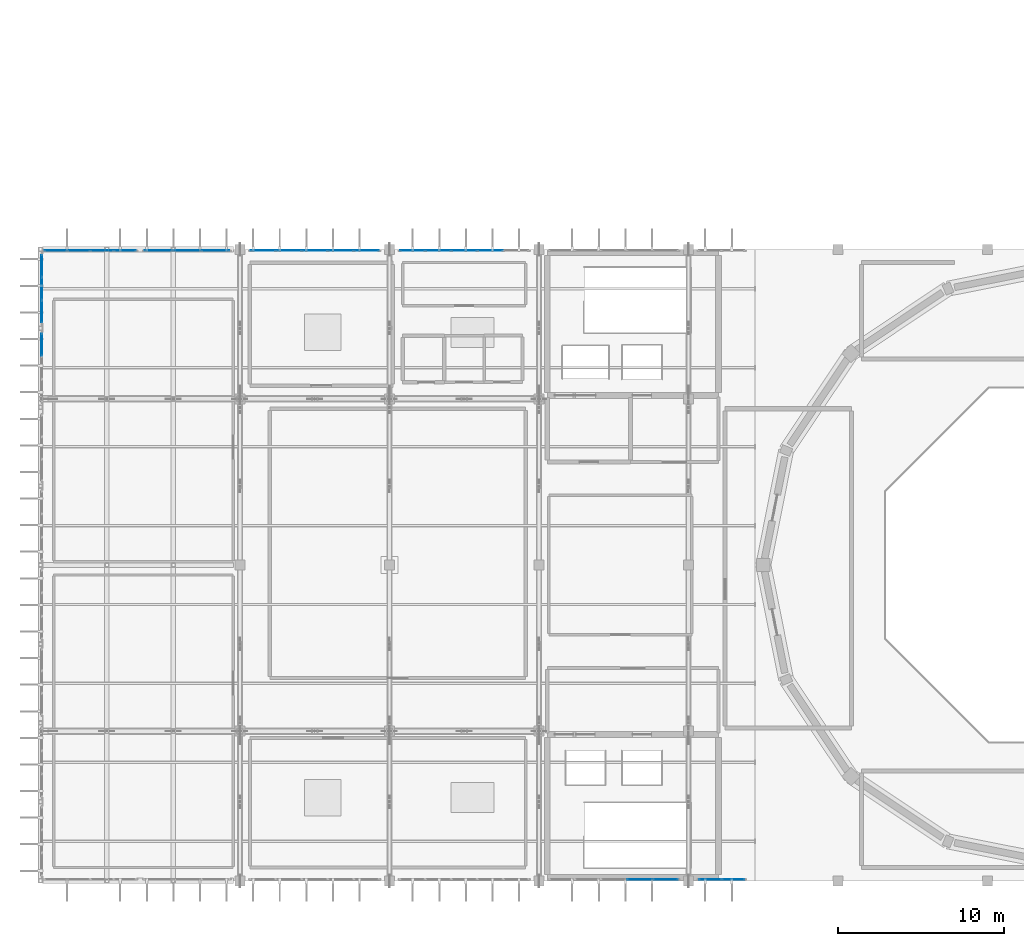
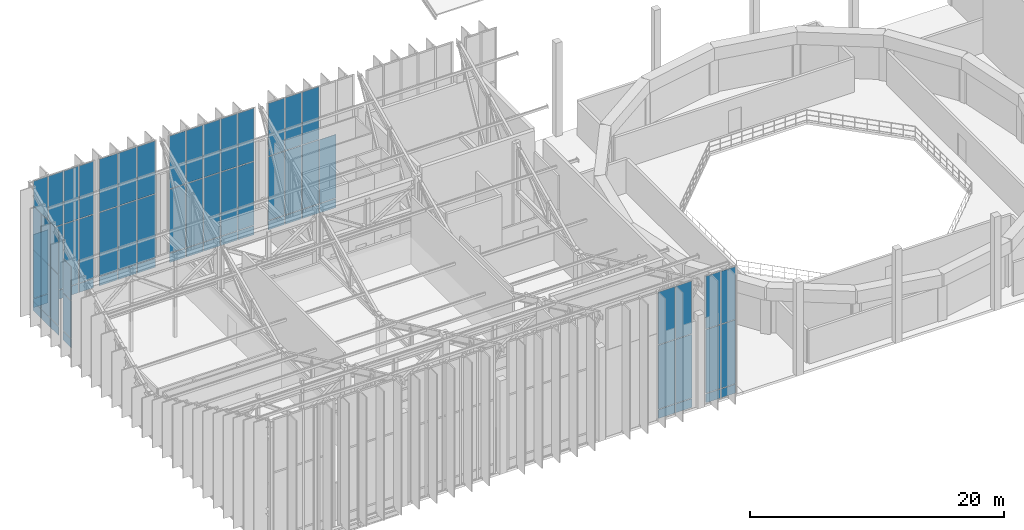
# One storey, part 50 of 68: 71 plates, 8 elements without a shape of their own.
"""IFC4 building model written with IfcOpenShell, lengths in metres."""

import ifcopenshell
import ifcopenshell.guid

model = None  # the IFC model being written
_history = None  # IfcOwnerHistory: only IFC2X3 demands one
_inside = {}  # id of a spatial element -> (the spatial element, [elements in it])
_under = {}  # id of a project, library or spatial element -> (it, [spatial elements below it])
_declared = {}  # id of a project -> (the project, [libraries it declares])
_typed = {}  # id of a type object -> (the type object, [elements of that type])
_made_of = {}  # id of a material, layer set ... -> (it, [elements and type objects made of it])


def new_model(schema):
    """Start an empty IFC model of exactly this schema.

    Asked for "IFC4X3", IfcOpenShell would pick the latest addendum, in which some entities
    have other attributes; the version numbers below select the first issue.
    IFC2X3 requires an IfcOwnerHistory on every rooted entity: one is made here for all.
    """
    global model, _history
    if schema == "IFC4X3":
        model = ifcopenshell.file(schema_version=(4, 3, 0, 0))
    else:
        model = ifcopenshell.file(schema=schema)
    _inside.clear()
    _under.clear()
    _declared.clear()
    _typed.clear()
    _made_of.clear()
    _history = None
    if model.schema == "IFC2X3":
        org = make("IfcOrganization", Name="unknown")
        user = make(
            "IfcPersonAndOrganization",
            ThePerson=make("IfcPerson", FamilyName="unknown"),
            TheOrganization=org,
        )
        app = make(
            "IfcApplication",
            ApplicationDeveloper=org,
            Version="unknown",
            ApplicationFullName="unknown",
            ApplicationIdentifier="unknown",
        )
        _history = make(
            "IfcOwnerHistory",
            OwningUser=user,
            OwningApplication=app,
            ChangeAction="ADDED",
            CreationDate=0,
        )
    return model


def make(cls, **values):
    """One entity of the class cls with the attributes given. An attribute that is None is left unset."""
    return model.create_entity(
        cls, **{name: value for name, value in values.items() if value is not None}
    )


def rooted(cls, **values):
    """An entity with a GlobalId (a new one), such as an element, a storey or a relation."""
    return make(cls, GlobalId=ifcopenshell.guid.new(), OwnerHistory=_history, **values)


def si_unit(unit_type, name, prefix=None):
    """IfcSIUnit, for example si_unit("LENGTHUNIT", "METRE", prefix="MILLI")."""
    return make("IfcSIUnit", UnitType=unit_type, Prefix=prefix, Name=name)


def assignment(units):
    """IfcUnitAssignment: the units of a project."""
    return None if units is None else make("IfcUnitAssignment", Units=units)


def point(xyz):
    """IfcCartesianPoint."""
    return None if xyz is None else make("IfcCartesianPoint", Coordinates=xyz)


def direction(xyz):
    """IfcDirection."""
    return None if xyz is None else make("IfcDirection", DirectionRatios=xyz)


def frame(location, z_axis=None, x_axis=None):
    """IfcAxis2Placement3D, a coordinate frame: its origin and axes. An axis left out is left unset."""
    return make(
        "IfcAxis2Placement3D",
        Location=point(location),
        Axis=direction(z_axis),
        RefDirection=direction(x_axis),
    )


def frame_2d(location, x_axis=None):
    """IfcAxis2Placement2D, a coordinate frame in the plane: its origin and x axis."""
    return make(
        "IfcAxis2Placement2D", Location=point(location), RefDirection=direction(x_axis)
    )


def origin():
    """The frame at (0, 0, 0) with its axes left unset."""
    return frame((0.0, 0.0, 0.0))


def origin_2d():
    """The frame at (0, 0) in the plane with its x axis left unset."""
    return frame_2d((0.0, 0.0))


def place(relative_to, where):
    """IfcLocalPlacement: puts the frame where relative to a parent placement (None: the world)."""
    return make(
        "IfcLocalPlacement", PlacementRelTo=relative_to, RelativePlacement=where
    )


def context(
    kind, dimensions, precision=None, world=None, true_north=None, identifier=None
):
    """IfcGeometricRepresentationContext, for example the 3D "Model" context."""
    return make(
        "IfcGeometricRepresentationContext",
        ContextIdentifier=identifier,
        ContextType=kind,
        CoordinateSpaceDimension=dimensions,
        Precision=precision,
        WorldCoordinateSystem=world,
        TrueNorth=true_north,
    )


def subcontext(parent, identifier, kind, view, scale=None):
    """IfcGeometricRepresentationSubContext, for example "Body" below "Model"."""
    return make(
        "IfcGeometricRepresentationSubContext",
        ContextIdentifier=identifier,
        ContextType=kind,
        ParentContext=parent,
        TargetScale=scale,
        TargetView=view,
    )


def project(units=None, contexts=None):
    """IfcProject with its units and contexts."""
    return rooted(
        "IfcProject",
        Name="project",
        RepresentationContexts=contexts,
        UnitsInContext=assignment(units),
    )


def spatial(cls, under=None, at=None, **own):
    """A site, building, storey or space (cls), placed at a placement, below another one or the project."""
    s = rooted(cls, ObjectPlacement=at, **own)
    if under is not None:
        _under.setdefault(under.id(), (under, []))[1].append(s)
    return s


def profile(cls, at=None, kind="AREA", **sizes):
    """A parametric profile (cls). Its sizes go by their IFC names, for example OverallWidth=200.0."""
    return make(cls, ProfileType=kind, Position=at, **sizes)


def rectangle(**sizes):
    """IfcRectangleProfileDef."""
    return profile("IfcRectangleProfileDef", **sizes)


def extrude(swept, where, along, depth):
    """IfcExtrudedAreaSolid: the profile swept, set in the frame where, extruded along a direction by depth."""
    return make(
        "IfcExtrudedAreaSolid",
        SweptArea=swept,
        Position=where,
        ExtrudedDirection=direction(along),
        Depth=depth,
    )


def shape(context_of_items, identifier, shape_type, items):
    """IfcShapeRepresentation: the items that make up one representation, for example the "Body"."""
    return make(
        "IfcShapeRepresentation",
        ContextOfItems=context_of_items,
        RepresentationIdentifier=identifier,
        RepresentationType=shape_type,
        Items=items,
    )


def material(Name=None, Category=None):
    """IfcMaterial."""
    return make("IfcMaterial", Name=Name, Category=Category)


def layer(
    of_material, thickness, ventilated=None, Name=None, Category=None, Priority=None
):
    """IfcMaterialLayer: one layer of a wall or slab, of a material (None: an air gap)."""
    return make(
        "IfcMaterialLayer",
        Material=of_material,
        LayerThickness=thickness,
        IsVentilated=ventilated,
        Name=Name,
        Category=Category,
        Priority=Priority,
    )


def layer_set(layers, Name=None):
    """IfcMaterialLayerSet."""
    return make("IfcMaterialLayerSet", MaterialLayers=layers, LayerSetName=Name)


def made_of(thing, what):
    """Note that an element or type object is made of a material, layer set ...; save() writes the relation."""
    if what is not None:
        _made_of.setdefault(what.id(), (what, []))[1].append(thing)
    return thing


def type_object(cls, material=None, **own):
    """A type object (cls), such as IfcWallType, which elements share."""
    return made_of(rooted(cls, **own), material)


def element(
    cls,
    number,
    at=None,
    inside=None,
    cuts=None,
    type_object=None,
    material=None,
    context=None,
    identifier="Body",
    shape_type=None,
    held_by="IfcProductDefinitionShape",
    body=None,
    shapes=None,
    **own,
):
    """One element of the class cls, such as IfcWall. Its Tag is "e" and its number.

    at: its placement. inside: the storey or other place that contains it. cuts: it is an
    opening in that element (IfcRelVoidsElement). A single representation is given by context,
    identifier, shape_type and body (its items); several are given by shapes. held_by: the class
    of the entity that holds the representations. save() writes the other relations.
    """
    e = rooted(cls, Tag="e%d" % number, ObjectPlacement=at, **own)
    if body is not None:
        shapes = [shape(context, identifier, shape_type, body)]
    if shapes is not None:
        e.Representation = make(held_by, Representations=shapes)
    if inside is not None:
        _inside.setdefault(inside.id(), (inside, []))[1].append(e)
    if cuts is not None:
        rooted(
            "IfcRelVoidsElement", RelatingBuildingElement=cuts, RelatedOpeningElement=e
        )
    if type_object is not None:
        _typed.setdefault(type_object.id(), (type_object, []))[1].append(e)
    return made_of(e, material)


def aggregate(whole, parts):
    """IfcRelAggregates: a whole, such as a stair, and the parts it consists of."""
    return rooted("IfcRelAggregates", RelatingObject=whole, RelatedObjects=parts)


def save(model, path):
    """Write the relations noted so far, then the file.

    IfcRelAggregates (storeys below a building ...), IfcRelContainedInSpatialStructure (elements
    in a storey), IfcRelDefinesByType, IfcRelAssociatesMaterial and IfcRelDeclares: one each for
    every whole, place, type object, material and project.
    """
    for whole, parts in _under.values():
        aggregate(whole, parts)
    for where, things in _inside.values():
        rooted(
            "IfcRelContainedInSpatialStructure",
            RelatedElements=things,
            RelatingStructure=where,
        )
    for kind, things in _typed.values():
        rooted("IfcRelDefinesByType", RelatedObjects=things, RelatingType=kind)
    for what, things in _made_of.values():
        rooted("IfcRelAssociatesMaterial", RelatedObjects=things, RelatingMaterial=what)
    for by, libraries in _declared.values():
        rooted("IfcRelDeclares", RelatingContext=by, RelatedDefinitions=libraries)
    model.write(path)


model = new_model("IFC4")

# Units and contexts
model_context = context("Model", 3, precision=1e-05, world=origin(), true_north=direction((0.0, 1.0)))
body_context = subcontext(model_context, "Body", "Model", "MODEL_VIEW")
ifc_project = project(units=[si_unit("LENGTHUNIT", "METRE"), si_unit("AREAUNIT", "SQUARE_METRE"), si_unit("VOLUMEUNIT", "CUBIC_METRE"), si_unit("PLANEANGLEUNIT", "RADIAN"), si_unit("MASSUNIT", "GRAM", prefix="KILO")], contexts=[model_context])

# Site, building, storey
site_placement = place(None, origin())
site = spatial("IfcSite", under=ifc_project, at=site_placement, CompositionType="ELEMENT")
building_placement = place(site_placement, origin())
building = spatial("IfcBuilding", under=site, at=building_placement, Name="Miravela Opera House", CompositionType="ELEMENT")
storey_placement = place(building_placement, frame((0.0, 0.0, 21.760009765625)))
storey = spatial("IfcBuildingStorey", under=building, at=storey_placement, Name="L05", CompositionType="ELEMENT", Elevation=21.760009765625)

# Curtain wall, plates
ifc_material_1 = material(Name="Anodised architectural bronze aluminium 6063-T6", Category="aluminium")
curtain_wall_type = type_object("IfcCurtainWallType", Name="ARC-CW-03", PredefinedType="NOTDEFINED", material=ifc_material_1)
curtain_wall_1_placement = place(storey_placement, origin())
curtain_wall_1 = element("IfcCurtainWall", 1, at=curtain_wall_1_placement, inside=storey, type_object=curtain_wall_type, Name="Cantilever West Wrapper Glazing B7 CW-L05-053", PredefinedType="NOTDEFINED")
ifc_material_2 = material(Name="Triple-glazed acoustic laminated low-E glass", Category="glass")
ifc_layer = layer(ifc_material_2, 0.035888671875)
ifc_layer_set = layer_set([ifc_layer])
plate_type = type_object("IfcPlateType", Name="ARC-CWP-36", PredefinedType="CURTAIN_PANEL", material=ifc_layer_set)
plate_1_placement = place(storey_placement, frame((15.080078125, 69.25537109375, 0.06494140625), z_axis=(0.0, 0.0, 1.0), x_axis=(0.0, 1.0, 0.0)))
plate_1 = element("IfcPlate", 2, at=plate_1_placement, type_object=plate_type, Name="CW-03 panel 3.1", PredefinedType="CURTAIN_PANEL", context=body_context, shape_type="SweptSolid", body=[
    extrude(rectangle(XDim=1.299072265625, YDim=0.035888671875, at=origin_2d()), origin(), (0.0, 0.0, 1.0), 0.8525390625),
])
plate_2_placement = place(storey_placement, frame((15.080078125, 69.25537109375, 0.982421875), z_axis=(0.0, 0.0, 1.0), x_axis=(0.0, 1.0, 0.0)))
plate_2 = element("IfcPlate", 3, at=plate_2_placement, type_object=plate_type, Name="CW-03 panel 3.2", PredefinedType="CURTAIN_PANEL", context=body_context, shape_type="SweptSolid", body=[
    extrude(rectangle(XDim=1.299072265625, YDim=0.035888671875, at=origin_2d()), origin(), (0.0, 0.0, 1.0), 3.591796875),
])
plate_3_placement = place(storey_placement, frame((15.080078125, 69.25537109375, 4.63916015625), z_axis=(0.0, 0.0, 1.0), x_axis=(0.0, 1.0, 0.0)))
plate_3 = element("IfcPlate", 4, at=plate_3_placement, type_object=plate_type, Name="CW-03 panel 3.3", PredefinedType="CURTAIN_PANEL", context=body_context, shape_type="SweptSolid", body=[
    extrude(rectangle(XDim=1.299072265625, YDim=0.035888671875, at=origin_2d()), origin(), (0.0, 0.0, 1.0), 3.23828125),
])
aggregate(curtain_wall_1, [plate_1, plate_2, plate_3])

curtain_wall_2_placement = place(storey_placement, origin())
curtain_wall_2 = element("IfcCurtainWall", 5, at=curtain_wall_2_placement, inside=storey, type_object=curtain_wall_type, Name="Cantilever West Wrapper Glazing B8 CW-L05-054", PredefinedType="NOTDEFINED")
plate_4_placement = place(storey_placement, frame((15.080078125, 71.24462890625, 0.06494140625), z_axis=(0.0, 0.0, 1.0), x_axis=(0.0, 1.0, 0.0)))
plate_4 = element("IfcPlate", 6, at=plate_4_placement, type_object=plate_type, Name="CW-03 panel 1.1", PredefinedType="CURTAIN_PANEL", context=body_context, shape_type="SweptSolid", body=[
    extrude(rectangle(XDim=1.299072265625, YDim=0.035888671875, at=origin_2d()), origin(), (0.0, 0.0, 1.0), 0.8525390625),
])
plate_5_placement = place(storey_placement, frame((15.080078125, 71.24462890625, 0.982421875), z_axis=(0.0, 0.0, 1.0), x_axis=(0.0, 1.0, 0.0)))
plate_5 = element("IfcPlate", 7, at=plate_5_placement, type_object=plate_type, Name="CW-03 panel 1.2", PredefinedType="CURTAIN_PANEL", context=body_context, shape_type="SweptSolid", body=[
    extrude(rectangle(XDim=1.299072265625, YDim=0.035888671875, at=origin_2d()), origin(), (0.0, 0.0, 1.0), 4.896728515625),
])
plate_6_placement = place(storey_placement, frame((15.080078125, 71.24462890625, 5.9443359375), z_axis=(0.0, 0.0, 1.0), x_axis=(0.0, 1.0, 0.0)))
plate_6 = element("IfcPlate", 8, at=plate_6_placement, type_object=plate_type, Name="CW-03 panel 1.3", PredefinedType="CURTAIN_PANEL", context=body_context, shape_type="SweptSolid", body=[
    extrude(rectangle(XDim=1.299072265625, YDim=0.035888671875, at=origin_2d()), origin(), (0.0, 0.0, 1.0), 4.183349609375),
])
plate_7_placement = place(storey_placement, frame((15.080078125, 72.625, 0.06494140625), z_axis=(0.0, 0.0, 1.0), x_axis=(0.0, 1.0, 0.0)))
plate_7 = element("IfcPlate", 9, at=plate_7_placement, type_object=plate_type, Name="CW-03 panel 2.1", PredefinedType="CURTAIN_PANEL", context=body_context, shape_type="SweptSolid", body=[
    extrude(rectangle(XDim=1.331787109375, YDim=0.035888671875, at=origin_2d()), origin(), (0.0, 0.0, 1.0), 0.8525390625),
])
plate_8_placement = place(storey_placement, frame((15.080078125, 72.625, 0.982421875), z_axis=(0.0, 0.0, 1.0), x_axis=(0.0, 1.0, 0.0)))
plate_8 = element("IfcPlate", 10, at=plate_8_placement, type_object=plate_type, Name="CW-03 panel 2.2", PredefinedType="CURTAIN_PANEL", context=body_context, shape_type="SweptSolid", body=[
    extrude(rectangle(XDim=1.331787109375, YDim=0.035888671875, at=origin_2d()), origin(), (0.0, 0.0, 1.0), 4.896728515625),
])
plate_9_placement = place(storey_placement, frame((15.080078125, 72.625, 5.9443359375), z_axis=(0.0, 0.0, 1.0), x_axis=(0.0, 1.0, 0.0)))
plate_9 = element("IfcPlate", 11, at=plate_9_placement, type_object=plate_type, Name="CW-03 panel 2.3", PredefinedType="CURTAIN_PANEL", context=body_context, shape_type="SweptSolid", body=[
    extrude(rectangle(XDim=1.331787109375, YDim=0.035888671875, at=origin_2d()), origin(), (0.0, 0.0, 1.0), 4.183349609375),
])
plate_10_placement = place(storey_placement, frame((15.080078125, 74.00537109375, 0.06494140625), z_axis=(0.0, 0.0, 1.0), x_axis=(0.0, 1.0, 0.0)))
plate_10 = element("IfcPlate", 12, at=plate_10_placement, type_object=plate_type, Name="CW-03 panel 3.1", PredefinedType="CURTAIN_PANEL", context=body_context, shape_type="SweptSolid", body=[
    extrude(rectangle(XDim=1.299072265625, YDim=0.035888671875, at=origin_2d()), origin(), (0.0, 0.0, 1.0), 0.8525390625),
])
plate_11_placement = place(storey_placement, frame((15.080078125, 74.00537109375, 0.982421875), z_axis=(0.0, 0.0, 1.0), x_axis=(0.0, 1.0, 0.0)))
plate_11 = element("IfcPlate", 13, at=plate_11_placement, type_object=plate_type, Name="CW-03 panel 3.2", PredefinedType="CURTAIN_PANEL", context=body_context, shape_type="SweptSolid", body=[
    extrude(rectangle(XDim=1.299072265625, YDim=0.035888671875, at=origin_2d()), origin(), (0.0, 0.0, 1.0), 4.896728515625),
])
plate_12_placement = place(storey_placement, frame((15.080078125, 74.00537109375, 5.9443359375), z_axis=(0.0, 0.0, 1.0), x_axis=(0.0, 1.0, 0.0)))
plate_12 = element("IfcPlate", 14, at=plate_12_placement, type_object=plate_type, Name="CW-03 panel 3.3", PredefinedType="CURTAIN_PANEL", context=body_context, shape_type="SweptSolid", body=[
    extrude(rectangle(XDim=1.299072265625, YDim=0.035888671875, at=origin_2d()), origin(), (0.0, 0.0, 1.0), 4.183349609375),
])
aggregate(curtain_wall_2, [plate_4, plate_5, plate_6, plate_7, plate_8, plate_9, plate_10, plate_11, plate_12])

curtain_wall_3_placement = place(storey_placement, origin())
curtain_wall_3 = element("IfcCurtainWall", 15, at=curtain_wall_3_placement, inside=storey, type_object=curtain_wall_type, Name="Auditorium North Wrapper Glazing CW-L05-055", PredefinedType="NOTDEFINED")
plate_13_placement = place(storey_placement, frame((15.916259765625, 74.919921875, 0.06494140625), z_axis=(0.0, 0.0, 1.0), x_axis=(1.0, 0.0, 0.0)))
plate_13 = element("IfcPlate", 16, at=plate_13_placement, type_object=plate_type, Name="CW-03 panel 1.1", PredefinedType="CURTAIN_PANEL", context=body_context, shape_type="SweptSolid", body=[
    extrude(rectangle(XDim=1.302490234375, YDim=0.035888671875, at=origin_2d()), origin(), (0.0, 0.0, 1.0), 0.8525390625),
])
plate_14_placement = place(storey_placement, frame((15.916259765625, 74.919921875, 0.982421875), z_axis=(0.0, 0.0, 1.0), x_axis=(1.0, 0.0, 0.0)))
plate_14 = element("IfcPlate", 17, at=plate_14_placement, type_object=plate_type, Name="CW-03 panel 1.2", PredefinedType="CURTAIN_PANEL", context=body_context, shape_type="SweptSolid", body=[
    extrude(rectangle(XDim=1.302490234375, YDim=0.035888671875, at=origin_2d()), origin(), (0.0, 0.0, 1.0), 6.124755859375),
])
plate_15_placement = place(storey_placement, frame((15.916259765625, 74.919921875, 7.17236328125), z_axis=(0.0, 0.0, 1.0), x_axis=(1.0, 0.0, 0.0)))
plate_15 = element("IfcPlate", 18, at=plate_15_placement, type_object=plate_type, Name="CW-03 panel 1.3", PredefinedType="CURTAIN_PANEL", context=body_context, shape_type="SweptSolid", body=[
    extrude(rectangle(XDim=1.302490234375, YDim=0.035888671875, at=origin_2d()), origin(), (0.0, 0.0, 1.0), 5.07275390625),
])
plate_16_placement = place(storey_placement, frame((17.300048828125, 74.919921875, 0.06494140625), z_axis=(0.0, 0.0, 1.0), x_axis=(1.0, 0.0, 0.0)))
plate_16 = element("IfcPlate", 19, at=plate_16_placement, type_object=plate_type, Name="CW-03 panel 2.1", PredefinedType="CURTAIN_PANEL", context=body_context, shape_type="SweptSolid", body=[
    extrude(rectangle(XDim=1.3349609375, YDim=0.035888671875, at=origin_2d()), origin(), (0.0, 0.0, 1.0), 0.8525390625),
])
plate_17_placement = place(storey_placement, frame((17.300048828125, 74.919921875, 0.982421875), z_axis=(0.0, 0.0, 1.0), x_axis=(1.0, 0.0, 0.0)))
plate_17 = element("IfcPlate", 20, at=plate_17_placement, type_object=plate_type, Name="CW-03 panel 2.2", PredefinedType="CURTAIN_PANEL", context=body_context, shape_type="SweptSolid", body=[
    extrude(rectangle(XDim=1.3349609375, YDim=0.035888671875, at=origin_2d()), origin(), (0.0, 0.0, 1.0), 6.124755859375),
])
plate_18_placement = place(storey_placement, frame((17.300048828125, 74.919921875, 7.17236328125), z_axis=(0.0, 0.0, 1.0), x_axis=(1.0, 0.0, 0.0)))
plate_18 = element("IfcPlate", 21, at=plate_18_placement, type_object=plate_type, Name="CW-03 panel 2.3", PredefinedType="CURTAIN_PANEL", context=body_context, shape_type="SweptSolid", body=[
    extrude(rectangle(XDim=1.3349609375, YDim=0.035888671875, at=origin_2d()), origin(), (0.0, 0.0, 1.0), 5.07275390625),
])
plate_19_placement = place(storey_placement, frame((18.699951171875, 74.919921875, 0.06494140625), z_axis=(0.0, 0.0, 1.0), x_axis=(1.0, 0.0, 0.0)))
plate_19 = element("IfcPlate", 22, at=plate_19_placement, type_object=plate_type, Name="CW-03 panel 3.1", PredefinedType="CURTAIN_PANEL", context=body_context, shape_type="SweptSolid", body=[
    extrude(rectangle(XDim=1.3349609375, YDim=0.035888671875, at=origin_2d()), origin(), (0.0, 0.0, 1.0), 0.8525390625),
])
plate_20_placement = place(storey_placement, frame((18.699951171875, 74.919921875, 0.982421875), z_axis=(0.0, 0.0, 1.0), x_axis=(1.0, 0.0, 0.0)))
plate_20 = element("IfcPlate", 23, at=plate_20_placement, type_object=plate_type, Name="CW-03 panel 3.2", PredefinedType="CURTAIN_PANEL", context=body_context, shape_type="SweptSolid", body=[
    extrude(rectangle(XDim=1.3349609375, YDim=0.035888671875, at=origin_2d()), origin(), (0.0, 0.0, 1.0), 6.124755859375),
])
plate_21_placement = place(storey_placement, frame((18.699951171875, 74.919921875, 7.17236328125), z_axis=(0.0, 0.0, 1.0), x_axis=(1.0, 0.0, 0.0)))
plate_21 = element("IfcPlate", 24, at=plate_21_placement, type_object=plate_type, Name="CW-03 panel 3.3", PredefinedType="CURTAIN_PANEL", context=body_context, shape_type="SweptSolid", body=[
    extrude(rectangle(XDim=1.3349609375, YDim=0.035888671875, at=origin_2d()), origin(), (0.0, 0.0, 1.0), 5.07275390625),
])
plate_22_placement = place(storey_placement, frame((20.083740234375, 74.919921875, 0.06494140625), z_axis=(0.0, 0.0, 1.0), x_axis=(1.0, 0.0, 0.0)))
plate_22 = element("IfcPlate", 25, at=plate_22_placement, type_object=plate_type, Name="CW-03 panel 4.1", PredefinedType="CURTAIN_PANEL", context=body_context, shape_type="SweptSolid", body=[
    extrude(rectangle(XDim=1.302490234375, YDim=0.035888671875, at=origin_2d()), origin(), (0.0, 0.0, 1.0), 0.8525390625),
])
plate_23_placement = place(storey_placement, frame((20.083740234375, 74.919921875, 0.982421875), z_axis=(0.0, 0.0, 1.0), x_axis=(1.0, 0.0, 0.0)))
plate_23 = element("IfcPlate", 26, at=plate_23_placement, type_object=plate_type, Name="CW-03 panel 4.2", PredefinedType="CURTAIN_PANEL", context=body_context, shape_type="SweptSolid", body=[
    extrude(rectangle(XDim=1.302490234375, YDim=0.035888671875, at=origin_2d()), origin(), (0.0, 0.0, 1.0), 6.124755859375),
])
plate_24_placement = place(storey_placement, frame((20.083740234375, 74.919921875, 7.17236328125), z_axis=(0.0, 0.0, 1.0), x_axis=(1.0, 0.0, 0.0)))
plate_24 = element("IfcPlate", 27, at=plate_24_placement, type_object=plate_type, Name="CW-03 panel 4.3", PredefinedType="CURTAIN_PANEL", context=body_context, shape_type="SweptSolid", body=[
    extrude(rectangle(XDim=1.302490234375, YDim=0.035888671875, at=origin_2d()), origin(), (0.0, 0.0, 1.0), 5.07275390625),
])
aggregate(curtain_wall_3, [plate_13, plate_14, plate_15, plate_16, plate_17, plate_18, plate_19, plate_20, plate_21, plate_22, plate_23, plate_24])

curtain_wall_4_placement = place(storey_placement, origin())
curtain_wall_4 = element("IfcCurtainWall", 28, at=curtain_wall_4_placement, inside=storey, type_object=curtain_wall_type, Name="Auditorium North Wrapper Glazing CW-L05-057", PredefinedType="NOTDEFINED")
plate_25_placement = place(storey_placement, frame((22.086181640625, 74.919921875, 0.06494140625), z_axis=(0.0, 0.0, 1.0), x_axis=(1.0, 0.0, 0.0)))
plate_25 = element("IfcPlate", 29, at=plate_25_placement, type_object=plate_type, Name="CW-03 panel 1.1", PredefinedType="CURTAIN_PANEL", context=body_context, shape_type="SweptSolid", body=[
    extrude(rectangle(XDim=1.642578125, YDim=0.035888671875, at=origin_2d()), origin(), (0.0, 0.0, 1.0), 0.8525390625),
])
plate_26_placement = place(storey_placement, frame((22.086181640625, 74.919921875, 0.982421875), z_axis=(0.0, 0.0, 1.0), x_axis=(1.0, 0.0, 0.0)))
plate_26 = element("IfcPlate", 30, at=plate_26_placement, type_object=plate_type, Name="CW-03 panel 1.2", PredefinedType="CURTAIN_PANEL", context=body_context, shape_type="SweptSolid", body=[
    extrude(rectangle(XDim=1.642578125, YDim=0.035888671875, at=origin_2d()), origin(), (0.0, 0.0, 1.0), 6.124755859375),
])
plate_27_placement = place(storey_placement, frame((22.086181640625, 74.919921875, 7.17236328125), z_axis=(0.0, 0.0, 1.0), x_axis=(1.0, 0.0, 0.0)))
plate_27 = element("IfcPlate", 31, at=plate_27_placement, type_object=plate_type, Name="CW-03 panel 1.3", PredefinedType="CURTAIN_PANEL", context=body_context, shape_type="SweptSolid", body=[
    extrude(rectangle(XDim=1.642578125, YDim=0.035888671875, at=origin_2d()), origin(), (0.0, 0.0, 1.0), 5.07275390625),
])
plate_28_placement = place(storey_placement, frame((23.81005859375, 74.919921875, 0.06494140625), z_axis=(0.0, 0.0, 1.0), x_axis=(1.0, 0.0, 0.0)))
plate_28 = element("IfcPlate", 32, at=plate_28_placement, type_object=plate_type, Name="CW-03 panel 2.1", PredefinedType="CURTAIN_PANEL", context=body_context, shape_type="SweptSolid", body=[
    extrude(rectangle(XDim=1.675048828125, YDim=0.035888671875, at=origin_2d()), origin(), (0.0, 0.0, 1.0), 0.8525390625),
])
plate_29_placement = place(storey_placement, frame((23.81005859375, 74.919921875, 0.982421875), z_axis=(0.0, 0.0, 1.0), x_axis=(1.0, 0.0, 0.0)))
plate_29 = element("IfcPlate", 33, at=plate_29_placement, type_object=plate_type, Name="CW-03 panel 2.2", PredefinedType="CURTAIN_PANEL", context=body_context, shape_type="SweptSolid", body=[
    extrude(rectangle(XDim=1.675048828125, YDim=0.035888671875, at=origin_2d()), origin(), (0.0, 0.0, 1.0), 6.124755859375),
])
plate_30_placement = place(storey_placement, frame((23.81005859375, 74.919921875, 7.17236328125), z_axis=(0.0, 0.0, 1.0), x_axis=(1.0, 0.0, 0.0)))
plate_30 = element("IfcPlate", 34, at=plate_30_placement, type_object=plate_type, Name="CW-03 panel 2.3", PredefinedType="CURTAIN_PANEL", context=body_context, shape_type="SweptSolid", body=[
    extrude(rectangle(XDim=1.675048828125, YDim=0.035888671875, at=origin_2d()), origin(), (0.0, 0.0, 1.0), 5.07275390625),
])
plate_31_placement = place(storey_placement, frame((25.53369140625, 74.919921875, 0.06494140625), z_axis=(0.0, 0.0, 1.0), x_axis=(1.0, 0.0, 0.0)))
plate_31 = element("IfcPlate", 35, at=plate_31_placement, type_object=plate_type, Name="CW-03 panel 3.1", PredefinedType="CURTAIN_PANEL", context=body_context, shape_type="SweptSolid", body=[
    extrude(rectangle(XDim=1.642578125, YDim=0.035888671875, at=origin_2d()), origin(), (0.0, 0.0, 1.0), 0.8525390625),
])
plate_32_placement = place(storey_placement, frame((25.53369140625, 74.919921875, 0.982421875), z_axis=(0.0, 0.0, 1.0), x_axis=(1.0, 0.0, 0.0)))
plate_32 = element("IfcPlate", 36, at=plate_32_placement, type_object=plate_type, Name="CW-03 panel 3.2", PredefinedType="CURTAIN_PANEL", context=body_context, shape_type="SweptSolid", body=[
    extrude(rectangle(XDim=1.642578125, YDim=0.035888671875, at=origin_2d()), origin(), (0.0, 0.0, 1.0), 6.124755859375),
])
plate_33_placement = place(storey_placement, frame((25.53369140625, 74.919921875, 7.17236328125), z_axis=(0.0, 0.0, 1.0), x_axis=(1.0, 0.0, 0.0)))
plate_33 = element("IfcPlate", 37, at=plate_33_placement, type_object=plate_type, Name="CW-03 panel 3.3", PredefinedType="CURTAIN_PANEL", context=body_context, shape_type="SweptSolid", body=[
    extrude(rectangle(XDim=1.642578125, YDim=0.035888671875, at=origin_2d()), origin(), (0.0, 0.0, 1.0), 5.07275390625),
])
aggregate(curtain_wall_4, [plate_25, plate_26, plate_27, plate_28, plate_29, plate_30, plate_31, plate_32, plate_33])

curtain_wall_5_placement = place(storey_placement, origin())
curtain_wall_5 = element("IfcCurtainWall", 38, at=curtain_wall_5_placement, inside=storey, type_object=curtain_wall_type, Name="Auditorium North Wrapper Glazing CW-L05-059", PredefinedType="NOTDEFINED")
plate_34_placement = place(storey_placement, frame((28.38037109375, 74.919921875, 0.06494140625), z_axis=(0.0, 0.0, 1.0), x_axis=(1.0, 0.0, 0.0)))
plate_34 = element("IfcPlate", 39, at=plate_34_placement, type_object=plate_type, Name="CW-03 panel 1.1", PredefinedType="CURTAIN_PANEL", context=body_context, shape_type="SweptSolid", body=[
    extrude(rectangle(XDim=1.470458984375, YDim=0.035888671875, at=origin_2d()), origin(), (0.0, 0.0, 1.0), 0.8525390625),
])
plate_35_placement = place(storey_placement, frame((28.38037109375, 74.919921875, 0.982421875), z_axis=(0.0, 0.0, 1.0), x_axis=(1.0, 0.0, 0.0)))
plate_35 = element("IfcPlate", 40, at=plate_35_placement, type_object=plate_type, Name="CW-03 panel 1.2", PredefinedType="CURTAIN_PANEL", context=body_context, shape_type="SweptSolid", body=[
    extrude(rectangle(XDim=1.470458984375, YDim=0.035888671875, at=origin_2d()), origin(), (0.0, 0.0, 1.0), 6.124755859375),
])
plate_36_placement = place(storey_placement, frame((28.38037109375, 74.919921875, 7.17236328125), z_axis=(0.0, 0.0, 1.0), x_axis=(1.0, 0.0, 0.0)))
plate_36 = element("IfcPlate", 41, at=plate_36_placement, type_object=plate_type, Name="CW-03 panel 1.3", PredefinedType="CURTAIN_PANEL", context=body_context, shape_type="SweptSolid", body=[
    extrude(rectangle(XDim=1.470458984375, YDim=0.035888671875, at=origin_2d()), origin(), (0.0, 0.0, 1.0), 5.07275390625),
])
plate_37_placement = place(storey_placement, frame((29.931884765625, 74.919921875, 0.06494140625), z_axis=(0.0, 0.0, 1.0), x_axis=(1.0, 0.0, 0.0)))
plate_37 = element("IfcPlate", 42, at=plate_37_placement, type_object=plate_type, Name="CW-03 panel 2.1", PredefinedType="CURTAIN_PANEL", context=body_context, shape_type="SweptSolid", body=[
    extrude(rectangle(XDim=1.5029296875, YDim=0.035888671875, at=origin_2d()), origin(), (0.0, 0.0, 1.0), 0.8525390625),
])
plate_38_placement = place(storey_placement, frame((29.931884765625, 74.919921875, 0.982421875), z_axis=(0.0, 0.0, 1.0), x_axis=(1.0, 0.0, 0.0)))
plate_38 = element("IfcPlate", 43, at=plate_38_placement, type_object=plate_type, Name="CW-03 panel 2.2", PredefinedType="CURTAIN_PANEL", context=body_context, shape_type="SweptSolid", body=[
    extrude(rectangle(XDim=1.5029296875, YDim=0.035888671875, at=origin_2d()), origin(), (0.0, 0.0, 1.0), 6.124755859375),
])
plate_39_placement = place(storey_placement, frame((29.931884765625, 74.919921875, 7.17236328125), z_axis=(0.0, 0.0, 1.0), x_axis=(1.0, 0.0, 0.0)))
plate_39 = element("IfcPlate", 44, at=plate_39_placement, type_object=plate_type, Name="CW-03 panel 2.3", PredefinedType="CURTAIN_PANEL", context=body_context, shape_type="SweptSolid", body=[
    extrude(rectangle(XDim=1.5029296875, YDim=0.035888671875, at=origin_2d()), origin(), (0.0, 0.0, 1.0), 5.07275390625),
])
plate_40_placement = place(storey_placement, frame((31.5, 74.919921875, 0.06494140625), z_axis=(0.0, 0.0, 1.0), x_axis=(1.0, 0.0, 0.0)))
plate_40 = element("IfcPlate", 45, at=plate_40_placement, type_object=plate_type, Name="CW-03 panel 3.1", PredefinedType="CURTAIN_PANEL", context=body_context, shape_type="SweptSolid", body=[
    extrude(rectangle(XDim=1.5029296875, YDim=0.035888671875, at=origin_2d()), origin(), (0.0, 0.0, 1.0), 0.8525390625),
])
plate_41_placement = place(storey_placement, frame((31.5, 74.919921875, 0.982421875), z_axis=(0.0, 0.0, 1.0), x_axis=(1.0, 0.0, 0.0)))
plate_41 = element("IfcPlate", 46, at=plate_41_placement, type_object=plate_type, Name="CW-03 panel 3.2", PredefinedType="CURTAIN_PANEL", context=body_context, shape_type="SweptSolid", body=[
    extrude(rectangle(XDim=1.5029296875, YDim=0.035888671875, at=origin_2d()), origin(), (0.0, 0.0, 1.0), 6.124755859375),
])
plate_42_placement = place(storey_placement, frame((31.5, 74.919921875, 7.17236328125), z_axis=(0.0, 0.0, 1.0), x_axis=(1.0, 0.0, 0.0)))
plate_42 = element("IfcPlate", 47, at=plate_42_placement, type_object=plate_type, Name="CW-03 panel 3.3", PredefinedType="CURTAIN_PANEL", context=body_context, shape_type="SweptSolid", body=[
    extrude(rectangle(XDim=1.5029296875, YDim=0.035888671875, at=origin_2d()), origin(), (0.0, 0.0, 1.0), 5.07275390625),
])
plate_43_placement = place(storey_placement, frame((33.068115234375, 74.919921875, 0.06494140625), z_axis=(0.0, 0.0, 1.0), x_axis=(1.0, 0.0, 0.0)))
plate_43 = element("IfcPlate", 48, at=plate_43_placement, type_object=plate_type, Name="CW-03 panel 4.1", PredefinedType="CURTAIN_PANEL", context=body_context, shape_type="SweptSolid", body=[
    extrude(rectangle(XDim=1.5029296875, YDim=0.035888671875, at=origin_2d()), origin(), (0.0, 0.0, 1.0), 0.8525390625),
])
plate_44_placement = place(storey_placement, frame((33.068115234375, 74.919921875, 0.982421875), z_axis=(0.0, 0.0, 1.0), x_axis=(1.0, 0.0, 0.0)))
plate_44 = element("IfcPlate", 49, at=plate_44_placement, type_object=plate_type, Name="CW-03 panel 4.2", PredefinedType="CURTAIN_PANEL", context=body_context, shape_type="SweptSolid", body=[
    extrude(rectangle(XDim=1.5029296875, YDim=0.035888671875, at=origin_2d()), origin(), (0.0, 0.0, 1.0), 6.124755859375),
])
plate_45_placement = place(storey_placement, frame((33.068115234375, 74.919921875, 7.17236328125), z_axis=(0.0, 0.0, 1.0), x_axis=(1.0, 0.0, 0.0)))
plate_45 = element("IfcPlate", 50, at=plate_45_placement, type_object=plate_type, Name="CW-03 panel 4.3", PredefinedType="CURTAIN_PANEL", context=body_context, shape_type="SweptSolid", body=[
    extrude(rectangle(XDim=1.5029296875, YDim=0.035888671875, at=origin_2d()), origin(), (0.0, 0.0, 1.0), 5.07275390625),
])
plate_46_placement = place(storey_placement, frame((34.61962890625, 74.919921875, 0.06494140625), z_axis=(0.0, 0.0, 1.0), x_axis=(1.0, 0.0, 0.0)))
plate_46 = element("IfcPlate", 51, at=plate_46_placement, type_object=plate_type, Name="CW-03 panel 5.1", PredefinedType="CURTAIN_PANEL", context=body_context, shape_type="SweptSolid", body=[
    extrude(rectangle(XDim=1.470458984375, YDim=0.035888671875, at=origin_2d()), origin(), (0.0, 0.0, 1.0), 0.8525390625),
])
plate_47_placement = place(storey_placement, frame((34.61962890625, 74.919921875, 0.982421875), z_axis=(0.0, 0.0, 1.0), x_axis=(1.0, 0.0, 0.0)))
plate_47 = element("IfcPlate", 52, at=plate_47_placement, type_object=plate_type, Name="CW-03 panel 5.2", PredefinedType="CURTAIN_PANEL", context=body_context, shape_type="SweptSolid", body=[
    extrude(rectangle(XDim=1.470458984375, YDim=0.035888671875, at=origin_2d()), origin(), (0.0, 0.0, 1.0), 6.124755859375),
])
plate_48_placement = place(storey_placement, frame((34.61962890625, 74.919921875, 7.17236328125), z_axis=(0.0, 0.0, 1.0), x_axis=(1.0, 0.0, 0.0)))
plate_48 = element("IfcPlate", 53, at=plate_48_placement, type_object=plate_type, Name="CW-03 panel 5.3", PredefinedType="CURTAIN_PANEL", context=body_context, shape_type="SweptSolid", body=[
    extrude(rectangle(XDim=1.470458984375, YDim=0.035888671875, at=origin_2d()), origin(), (0.0, 0.0, 1.0), 5.07275390625),
])
aggregate(curtain_wall_5, [plate_34, plate_35, plate_36, plate_37, plate_38, plate_39, plate_40, plate_41, plate_42, plate_43, plate_44, plate_45, plate_46, plate_47, plate_48])

curtain_wall_6_placement = place(storey_placement, origin())
curtain_wall_6 = element("IfcCurtainWall", 54, at=curtain_wall_6_placement, inside=storey, type_object=curtain_wall_type, Name="Auditorium North Wrapper Glazing CW-L05-061", PredefinedType="NOTDEFINED")
plate_49_placement = place(storey_placement, frame((37.38037109375, 74.919921875, 0.06494140625), z_axis=(0.0, 0.0, 1.0), x_axis=(1.0, 0.0, 0.0)))
plate_49 = element("IfcPlate", 55, at=plate_49_placement, type_object=plate_type, Name="CW-03 panel 1.1", PredefinedType="CURTAIN_PANEL", context=body_context, shape_type="SweptSolid", body=[
    extrude(rectangle(XDim=1.470458984375, YDim=0.035888671875, at=origin_2d()), origin(), (0.0, 0.0, 1.0), 0.8525390625),
])
plate_50_placement = place(storey_placement, frame((37.38037109375, 74.919921875, 0.982421875), z_axis=(0.0, 0.0, 1.0), x_axis=(1.0, 0.0, 0.0)))
plate_50 = element("IfcPlate", 56, at=plate_50_placement, type_object=plate_type, Name="CW-03 panel 1.2", PredefinedType="CURTAIN_PANEL", context=body_context, shape_type="SweptSolid", body=[
    extrude(rectangle(XDim=1.470458984375, YDim=0.035888671875, at=origin_2d()), origin(), (0.0, 0.0, 1.0), 6.124755859375),
])
plate_51_placement = place(storey_placement, frame((37.38037109375, 74.919921875, 7.17236328125), z_axis=(0.0, 0.0, 1.0), x_axis=(1.0, 0.0, 0.0)))
plate_51 = element("IfcPlate", 57, at=plate_51_placement, type_object=plate_type, Name="CW-03 panel 1.3", PredefinedType="CURTAIN_PANEL", context=body_context, shape_type="SweptSolid", body=[
    extrude(rectangle(XDim=1.470458984375, YDim=0.035888671875, at=origin_2d()), origin(), (0.0, 0.0, 1.0), 5.07275390625),
])
plate_52_placement = place(storey_placement, frame((38.931884765625, 74.919921875, 0.06494140625), z_axis=(0.0, 0.0, 1.0), x_axis=(1.0, 0.0, 0.0)))
plate_52 = element("IfcPlate", 58, at=plate_52_placement, type_object=plate_type, Name="CW-03 panel 2.1", PredefinedType="CURTAIN_PANEL", context=body_context, shape_type="SweptSolid", body=[
    extrude(rectangle(XDim=1.5029296875, YDim=0.035888671875, at=origin_2d()), origin(), (0.0, 0.0, 1.0), 0.8525390625),
])
plate_53_placement = place(storey_placement, frame((38.931884765625, 74.919921875, 0.982421875), z_axis=(0.0, 0.0, 1.0), x_axis=(1.0, 0.0, 0.0)))
plate_53 = element("IfcPlate", 59, at=plate_53_placement, type_object=plate_type, Name="CW-03 panel 2.2", PredefinedType="CURTAIN_PANEL", context=body_context, shape_type="SweptSolid", body=[
    extrude(rectangle(XDim=1.5029296875, YDim=0.035888671875, at=origin_2d()), origin(), (0.0, 0.0, 1.0), 6.124755859375),
])
plate_54_placement = place(storey_placement, frame((38.931884765625, 74.919921875, 7.17236328125), z_axis=(0.0, 0.0, 1.0), x_axis=(1.0, 0.0, 0.0)))
plate_54 = element("IfcPlate", 60, at=plate_54_placement, type_object=plate_type, Name="CW-03 panel 2.3", PredefinedType="CURTAIN_PANEL", context=body_context, shape_type="SweptSolid", body=[
    extrude(rectangle(XDim=1.5029296875, YDim=0.035888671875, at=origin_2d()), origin(), (0.0, 0.0, 1.0), 5.07275390625),
])
plate_55_placement = place(storey_placement, frame((40.5, 74.919921875, 0.06494140625), z_axis=(0.0, 0.0, 1.0), x_axis=(1.0, 0.0, 0.0)))
plate_55 = element("IfcPlate", 61, at=plate_55_placement, type_object=plate_type, Name="CW-03 panel 3.1", PredefinedType="CURTAIN_PANEL", context=body_context, shape_type="SweptSolid", body=[
    extrude(rectangle(XDim=1.5029296875, YDim=0.035888671875, at=origin_2d()), origin(), (0.0, 0.0, 1.0), 0.8525390625),
])
plate_56_placement = place(storey_placement, frame((40.5, 74.919921875, 0.982421875), z_axis=(0.0, 0.0, 1.0), x_axis=(1.0, 0.0, 0.0)))
plate_56 = element("IfcPlate", 62, at=plate_56_placement, type_object=plate_type, Name="CW-03 panel 3.2", PredefinedType="CURTAIN_PANEL", context=body_context, shape_type="SweptSolid", body=[
    extrude(rectangle(XDim=1.5029296875, YDim=0.035888671875, at=origin_2d()), origin(), (0.0, 0.0, 1.0), 6.124755859375),
])
plate_57_placement = place(storey_placement, frame((40.5, 74.919921875, 7.17236328125), z_axis=(0.0, 0.0, 1.0), x_axis=(1.0, 0.0, 0.0)))
plate_57 = element("IfcPlate", 63, at=plate_57_placement, type_object=plate_type, Name="CW-03 panel 3.3", PredefinedType="CURTAIN_PANEL", context=body_context, shape_type="SweptSolid", body=[
    extrude(rectangle(XDim=1.5029296875, YDim=0.035888671875, at=origin_2d()), origin(), (0.0, 0.0, 1.0), 5.07275390625),
])
plate_58_placement = place(storey_placement, frame((42.068115234375, 74.919921875, 0.06494140625), z_axis=(0.0, 0.0, 1.0), x_axis=(1.0, 0.0, 0.0)))
plate_58 = element("IfcPlate", 64, at=plate_58_placement, type_object=plate_type, Name="CW-03 panel 4.1", PredefinedType="CURTAIN_PANEL", context=body_context, shape_type="SweptSolid", body=[
    extrude(rectangle(XDim=1.5029296875, YDim=0.035888671875, at=origin_2d()), origin(), (0.0, 0.0, 1.0), 0.8525390625),
])
plate_59_placement = place(storey_placement, frame((42.068115234375, 74.919921875, 0.982421875), z_axis=(0.0, 0.0, 1.0), x_axis=(1.0, 0.0, 0.0)))
plate_59 = element("IfcPlate", 65, at=plate_59_placement, type_object=plate_type, Name="CW-03 panel 4.2", PredefinedType="CURTAIN_PANEL", context=body_context, shape_type="SweptSolid", body=[
    extrude(rectangle(XDim=1.5029296875, YDim=0.035888671875, at=origin_2d()), origin(), (0.0, 0.0, 1.0), 6.124755859375),
])
aggregate(curtain_wall_6, [plate_49, plate_50, plate_51, plate_52, plate_53, plate_54, plate_55, plate_56, plate_57, plate_58, plate_59])

curtain_wall_7_placement = place(storey_placement, origin())
curtain_wall_7 = element("IfcCurtainWall", 66, at=curtain_wall_7_placement, inside=storey, type_object=curtain_wall_type, Name="Auditorium South Wrapper Glazing CW-L05-064", PredefinedType="NOTDEFINED")
plate_60_placement = place(storey_placement, frame((51.068115234375, 37.080078125, 0.06494140625), z_axis=(0.0, 0.0, 1.0), x_axis=(1.0, 0.0, 0.0)))
plate_60 = element("IfcPlate", 67, at=plate_60_placement, type_object=plate_type, Name="CW-03 panel 4.1", PredefinedType="CURTAIN_PANEL", context=body_context, shape_type="SweptSolid", body=[
    extrude(rectangle(XDim=1.5029296875, YDim=0.035888671875, at=origin_2d()), origin(), (0.0, 0.0, 1.0), 0.8525390625),
])
plate_61_placement = place(storey_placement, frame((51.068115234375, 37.080078125, 0.982421875), z_axis=(0.0, 0.0, 1.0), x_axis=(1.0, 0.0, 0.0)))
plate_61 = element("IfcPlate", 68, at=plate_61_placement, type_object=plate_type, Name="CW-03 panel 4.2", PredefinedType="CURTAIN_PANEL", context=body_context, shape_type="SweptSolid", body=[
    extrude(rectangle(XDim=1.5029296875, YDim=0.035888671875, at=origin_2d()), origin(), (0.0, 0.0, 1.0), 6.124755859375),
])
plate_62_placement = place(storey_placement, frame((51.068115234375, 37.080078125, 7.17236328125), z_axis=(0.0, 0.0, 1.0), x_axis=(1.0, 0.0, 0.0)))
plate_62 = element("IfcPlate", 69, at=plate_62_placement, type_object=plate_type, Name="CW-03 panel 4.3", PredefinedType="CURTAIN_PANEL", context=body_context, shape_type="SweptSolid", body=[
    extrude(rectangle(XDim=1.5029296875, YDim=0.035888671875, at=origin_2d()), origin(), (0.0, 0.0, 1.0), 5.07275390625),
])
plate_63_placement = place(storey_placement, frame((52.61962890625, 37.080078125, 0.06494140625), z_axis=(0.0, 0.0, 1.0), x_axis=(1.0, 0.0, 0.0)))
plate_63 = element("IfcPlate", 70, at=plate_63_placement, type_object=plate_type, Name="CW-03 panel 5.1", PredefinedType="CURTAIN_PANEL", context=body_context, shape_type="SweptSolid", body=[
    extrude(rectangle(XDim=1.470458984375, YDim=0.035888671875, at=origin_2d()), origin(), (0.0, 0.0, 1.0), 0.8525390625),
])
plate_64_placement = place(storey_placement, frame((52.61962890625, 37.080078125, 0.982421875), z_axis=(0.0, 0.0, 1.0), x_axis=(1.0, 0.0, 0.0)))
plate_64 = element("IfcPlate", 71, at=plate_64_placement, type_object=plate_type, Name="CW-03 panel 5.2", PredefinedType="CURTAIN_PANEL", context=body_context, shape_type="SweptSolid", body=[
    extrude(rectangle(XDim=1.470458984375, YDim=0.035888671875, at=origin_2d()), origin(), (0.0, 0.0, 1.0), 6.124755859375),
])
plate_65_placement = place(storey_placement, frame((52.61962890625, 37.080078125, 7.17236328125), z_axis=(0.0, 0.0, 1.0), x_axis=(1.0, 0.0, 0.0)))
plate_65 = element("IfcPlate", 72, at=plate_65_placement, type_object=plate_type, Name="CW-03 panel 5.3", PredefinedType="CURTAIN_PANEL", context=body_context, shape_type="SweptSolid", body=[
    extrude(rectangle(XDim=1.470458984375, YDim=0.035888671875, at=origin_2d()), origin(), (0.0, 0.0, 1.0), 5.07275390625),
])
aggregate(curtain_wall_7, [plate_60, plate_61, plate_62, plate_63, plate_64, plate_65])

curtain_wall_8_placement = place(storey_placement, origin())
curtain_wall_8 = element("IfcCurtainWall", 73, at=curtain_wall_8_placement, inside=storey, type_object=curtain_wall_type, Name="Auditorium South Wrapper Glazing CW-L05-066", PredefinedType="NOTDEFINED")
plate_66_placement = place(storey_placement, frame((55.30615234375, 37.080078125, 0.06494140625), z_axis=(0.0, 0.0, 1.0), x_axis=(1.0, 0.0, 0.0)))
plate_66 = element("IfcPlate", 74, at=plate_66_placement, type_object=plate_type, Name="CW-03 panel 1.1", PredefinedType="CURTAIN_PANEL", context=body_context, shape_type="SweptSolid", body=[
    extrude(rectangle(XDim=1.322509765625, YDim=0.035888671875, at=origin_2d()), origin(), (0.0, 0.0, 1.0), 0.8525390625),
])
plate_67_placement = place(storey_placement, frame((55.30615234375, 37.080078125, 0.982421875), z_axis=(0.0, 0.0, 1.0), x_axis=(1.0, 0.0, 0.0)))
plate_67 = element("IfcPlate", 75, at=plate_67_placement, type_object=plate_type, Name="CW-03 panel 1.2", PredefinedType="CURTAIN_PANEL", context=body_context, shape_type="SweptSolid", body=[
    extrude(rectangle(XDim=1.322509765625, YDim=0.035888671875, at=origin_2d()), origin(), (0.0, 0.0, 1.0), 6.124755859375),
])
plate_68_placement = place(storey_placement, frame((55.30615234375, 37.080078125, 7.17236328125), z_axis=(0.0, 0.0, 1.0), x_axis=(1.0, 0.0, 0.0)))
plate_68 = element("IfcPlate", 76, at=plate_68_placement, type_object=plate_type, Name="CW-03 panel 1.3", PredefinedType="CURTAIN_PANEL", context=body_context, shape_type="SweptSolid", body=[
    extrude(rectangle(XDim=1.322509765625, YDim=0.035888671875, at=origin_2d()), origin(), (0.0, 0.0, 1.0), 5.07275390625),
])
plate_69_placement = place(storey_placement, frame((56.69384765625, 37.080078125, 0.06494140625), z_axis=(0.0, 0.0, 1.0), x_axis=(1.0, 0.0, 0.0)))
plate_69 = element("IfcPlate", 77, at=plate_69_placement, type_object=plate_type, Name="CW-03 panel 2.1", PredefinedType="CURTAIN_PANEL", context=body_context, shape_type="SweptSolid", body=[
    extrude(rectangle(XDim=1.322509765625, YDim=0.035888671875, at=origin_2d()), origin(), (0.0, 0.0, 1.0), 0.8525390625),
])
plate_70_placement = place(storey_placement, frame((56.69384765625, 37.080078125, 0.982421875), z_axis=(0.0, 0.0, 1.0), x_axis=(1.0, 0.0, 0.0)))
plate_70 = element("IfcPlate", 78, at=plate_70_placement, type_object=plate_type, Name="CW-03 panel 2.2", PredefinedType="CURTAIN_PANEL", context=body_context, shape_type="SweptSolid", body=[
    extrude(rectangle(XDim=1.322509765625, YDim=0.035888671875, at=origin_2d()), origin(), (0.0, 0.0, 1.0), 6.124755859375),
])
plate_71_placement = place(storey_placement, frame((56.69384765625, 37.080078125, 7.17236328125), z_axis=(0.0, 0.0, 1.0), x_axis=(1.0, 0.0, 0.0)))
plate_71 = element("IfcPlate", 79, at=plate_71_placement, type_object=plate_type, Name="CW-03 panel 2.3", PredefinedType="CURTAIN_PANEL", context=body_context, shape_type="SweptSolid", body=[
    extrude(rectangle(XDim=1.322509765625, YDim=0.035888671875, at=origin_2d()), origin(), (0.0, 0.0, 1.0), 5.07275390625),
])
aggregate(curtain_wall_8, [plate_66, plate_67, plate_68, plate_69, plate_70, plate_71])

save(model, "model.ifc")
